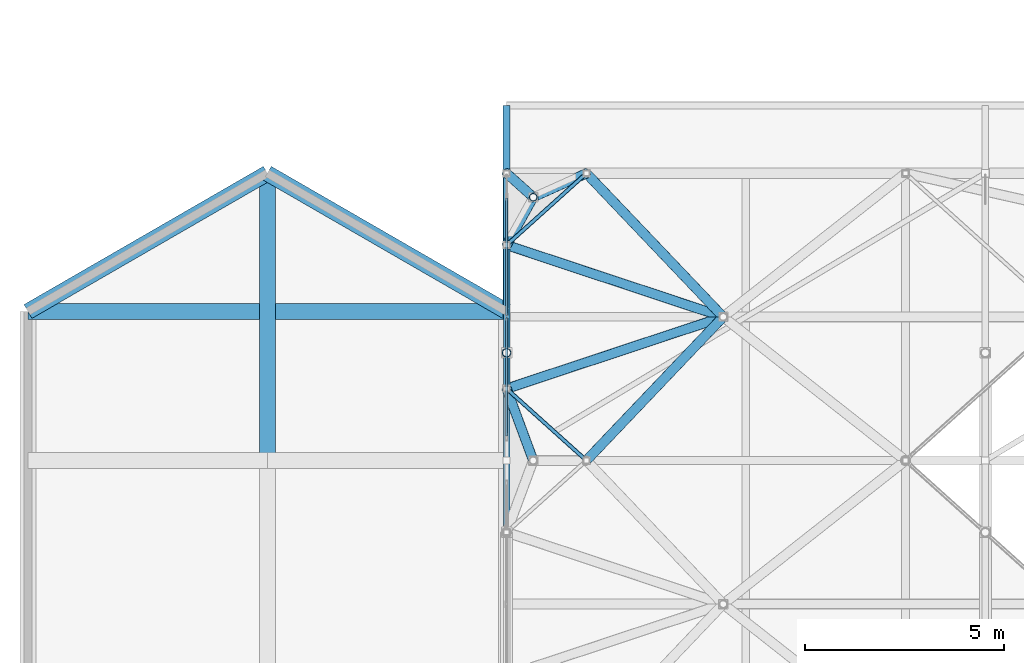
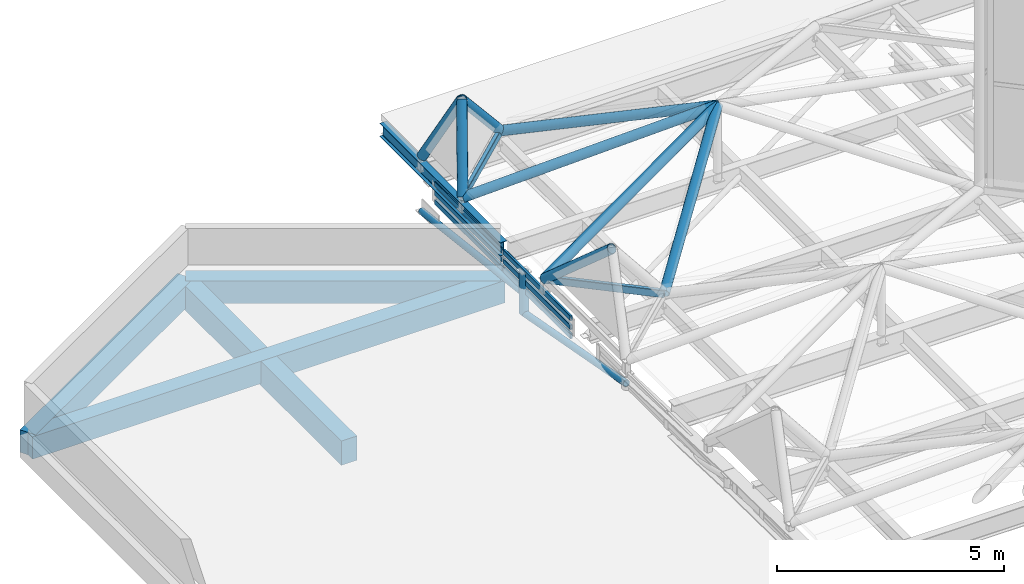
# One storey, part 70 of 239: 18 members, 7 beams, 1 element without a shape of its own.
"""IFC4 building model written with IfcOpenShell, lengths in metres."""

from ifc_helpers import new_model, si_unit, direction, frame, origin, origin_2d, place, context, subcontext, project, spatial, rectangle, hollow_rectangle, hollow_circle, i_section, extrude, material, layer, layer_set, material_profile, profile_set, type_object, element, aggregate, save


model = new_model("IFC4")

# Units and contexts
model_context = context("Model", 3, precision=1e-05, world=origin(), true_north=direction((0.0, 1.0)))
body_context = subcontext(model_context, "Body", "Model", "MODEL_VIEW")
ifc_project = project(units=[si_unit("LENGTHUNIT", "METRE"), si_unit("AREAUNIT", "SQUARE_METRE"), si_unit("VOLUMEUNIT", "CUBIC_METRE"), si_unit("PLANEANGLEUNIT", "RADIAN"), si_unit("MASSUNIT", "GRAM", prefix="KILO")], contexts=[model_context])

# Site, building, storey
site_placement = place(None, origin())
site = spatial("IfcSite", under=ifc_project, at=site_placement, CompositionType="ELEMENT")
building_placement = place(site_placement, origin())
building = spatial("IfcBuilding", under=site, at=building_placement, Name="Dunvalen Ferry Terminal", CompositionType="ELEMENT")
storey_placement = place(building_placement, frame((0.0, 0.0, 9.840087890625)))
storey = spatial("IfcBuildingStorey", under=building, at=storey_placement, Name="L02", CompositionType="ELEMENT", Elevation=9.840087890625)

# Curtain wall, members
ifc_material_1 = material(Name="Anodised marine aluminium and solar-control glazing", Category="aluminium")
ifc_layer = layer(ifc_material_1, 0.219970703125, Name="Anodised marine aluminium and solar-control glazing")
ifc_layer_set = layer_set([ifc_layer], Name="Anodised marine aluminium and solar-control glazing")
curtain_wall_type = type_object("IfcCurtainWallType", Name="ENV-CW-SYS-04", PredefinedType="NOTDEFINED", material=ifc_layer_set)
curtain_wall_placement = place(storey_placement, origin())
curtain_wall = element("IfcCurtainWall", 1, at=curtain_wall_placement, inside=storey, type_object=curtain_wall_type, Name="L02 Curtain Wall CW-V1W-CLR-05", PredefinedType="NOTDEFINED")
ifc_material_2 = material(Name="Anodised marine aluminium EN AW-6063 T6", Category="aluminium")
ifc_material_profile_1 = material_profile(ifc_material_2, hollow_rectangle(XDim=0.06005859375, YDim=0.135009765625, WallThickness=0.003173828125, InnerFilletRadius=0.003173828125, OuterFilletRadius=0.00634765625, at=origin_2d()), Name="Anodised marine aluminium EN AW-6063 T6")
ifc_profile_set_1 = profile_set([ifc_material_profile_1], Name="Anodised marine aluminium EN AW-6063 T6")
member_type_1 = type_object("IfcMemberType", Name="ENV-CW-TRN-2", PredefinedType="USERDEFINED", material=ifc_profile_set_1)
member_1_placement = place(storey_placement, frame((12.0, 79.820068359375, 0.27001953125), z_axis=(0.0, 1.0, 0.0), x_axis=(-1.0, 0.0, 0.0)))
member_1 = element("IfcMember", 2, at=member_1_placement, type_object=member_type_1, Name="CW-04 transom 1.1", ObjectType="TRANSOM", PredefinedType="USERDEFINED", context=body_context, shape_type="SweptSolid", body=[
    extrude(hollow_rectangle(XDim=0.06005859375, YDim=0.135009765625, WallThickness=0.003173828125, InnerFilletRadius=0.003173828125, OuterFilletRadius=0.00634765625, at=origin_2d()), origin(), (0.0, 0.0, 1.0), 2.949951171875),
])
member_2_placement = place(storey_placement, frame((12.0, 79.820068359375, 0.510009765625), z_axis=(0.0, 1.0, 0.0), x_axis=(-1.0, 0.0, 0.0)))
member_2 = element("IfcMember", 3, at=member_2_placement, type_object=member_type_1, Name="CW-04 transom 1.2", ObjectType="TRANSOM", PredefinedType="USERDEFINED", context=body_context, shape_type="SweptSolid", body=[
    extrude(hollow_rectangle(XDim=0.06005859375, YDim=0.135009765625, WallThickness=0.003173828125, InnerFilletRadius=0.003173828125, OuterFilletRadius=0.00634765625, at=origin_2d()), origin(), (0.0, 0.0, 1.0), 2.949951171875),
])
member_3_placement = place(storey_placement, frame((12.0, 79.820068359375, 0.75), z_axis=(0.0, 1.0, 0.0), x_axis=(-1.0, 0.0, 0.0)))
member_3 = element("IfcMember", 4, at=member_3_placement, type_object=member_type_1, Name="CW-04 transom 1.3", ObjectType="TRANSOM", PredefinedType="USERDEFINED", context=body_context, shape_type="SweptSolid", body=[
    extrude(hollow_rectangle(XDim=0.06005859375, YDim=0.135009765625, WallThickness=0.003173828125, InnerFilletRadius=0.003173828125, OuterFilletRadius=0.00634765625, at=origin_2d()), origin(), (0.0, 0.0, 1.0), 2.949951171875),
])
member_4_placement = place(storey_placement, frame((12.0, 82.830078125, 0.27001953125), z_axis=(0.0, 1.0, 0.0), x_axis=(-1.0, 0.0, 0.0)))
member_4 = element("IfcMember", 5, at=member_4_placement, type_object=member_type_1, Name="CW-04 transom 2.1", ObjectType="TRANSOM", PredefinedType="USERDEFINED", context=body_context, shape_type="SweptSolid", body=[
    extrude(hollow_rectangle(XDim=0.06005859375, YDim=0.135009765625, WallThickness=0.003173828125, InnerFilletRadius=0.003173828125, OuterFilletRadius=0.00634765625, at=origin_2d()), origin(), (0.0, 0.0, 1.0), 2.949951171875),
])
member_5_placement = place(storey_placement, frame((12.0, 82.830078125, 0.510009765625), z_axis=(0.0, 1.0, 0.0), x_axis=(-1.0, 0.0, 0.0)))
member_5 = element("IfcMember", 6, at=member_5_placement, type_object=member_type_1, Name="CW-04 transom 2.2", ObjectType="TRANSOM", PredefinedType="USERDEFINED", context=body_context, shape_type="SweptSolid", body=[
    extrude(hollow_rectangle(XDim=0.06005859375, YDim=0.135009765625, WallThickness=0.003173828125, InnerFilletRadius=0.003173828125, OuterFilletRadius=0.00634765625, at=origin_2d()), origin(), (0.0, 0.0, 1.0), 2.949951171875),
])
member_6_placement = place(storey_placement, frame((12.0, 82.830078125, 0.75), z_axis=(0.0, 1.0, 0.0), x_axis=(-1.0, 0.0, 0.0)))
member_6 = element("IfcMember", 7, at=member_6_placement, type_object=member_type_1, Name="CW-04 transom 2.3", ObjectType="TRANSOM", PredefinedType="USERDEFINED", context=body_context, shape_type="SweptSolid", body=[
    extrude(hollow_rectangle(XDim=0.06005859375, YDim=0.135009765625, WallThickness=0.003173828125, InnerFilletRadius=0.003173828125, OuterFilletRadius=0.00634765625, at=origin_2d()), origin(), (0.0, 0.0, 1.0), 2.949951171875),
])
aggregate(curtain_wall, [member_1, member_2, member_3, member_4, member_5, member_6])

# Beams
ifc_material_3 = material(Name="Steel S355", Category="steel")
ifc_material_profile_2 = material_profile(ifc_material_3, i_section(OverallWidth=0.169921875, OverallDepth=0.360107421875, WebThickness=0.008056640625, FlangeThickness=0.0126953125, FilletRadius=0.01806640625, at=origin_2d()), Name="Steel S355")
ifc_profile_set_2 = profile_set([ifc_material_profile_2], Name="Steel S355")
beam_type_1 = type_object("IfcBeamType", Name="STR-BM-IPE360", PredefinedType="BEAM", material=ifc_profile_set_2)
beam_1_placement = place(storey_placement, frame((12.0, 82.800048828125, 0.81982421875), z_axis=(0.0, 1.0, 0.0), x_axis=(-1.0, 0.0, 0.0)))
element("IfcBeam", 8, at=beam_1_placement, inside=storey, type_object=beam_type_1, Name="Departure Hall North Eave Outrigger 01", PredefinedType="BEAM", context=body_context, shape_type="SweptSolid", body=[
    extrude(i_section(OverallWidth=0.169921875, OverallDepth=0.360107421875, WebThickness=0.008056640625, FlangeThickness=0.0126953125, FilletRadius=0.01806640625, at=origin_2d()), origin(), (0.0, 0.0, 1.0), 5.300048828125),
])
ifc_material_4 = material(Name="Concrete C35/45", Category="concrete")
ifc_material_profile_3 = material_profile(ifc_material_4, rectangle(XDim=0.39990234375, YDim=0.60009765625, at=origin_2d()), Name="Concrete C35/45")
ifc_profile_set_3 = profile_set([ifc_material_profile_3], Name="Concrete C35/45")
beam_type_2 = type_object("IfcBeamType", Name="STR-BM-RCB600", PredefinedType="BEAM", material=ifc_profile_set_3)
for number, where, z_axis, x_axis, name in (
    (9, (12.0, 82.93603515625, -0.300048828125), (-0.866040055388, 0.49997462182, 0.0), (-0.49997462182, -0.866040055388, 0.0), "L02 West Baggage Annex Ring Beam 03"),
    (10, (6.0, 86.39990234375, -0.300048828125), (-0.866040055388, -0.49997462182, 0.0), (0.49997462182, -0.866040055388, 0.0), "L02 West Baggage Annex Ring Beam 04"),
):
    element("IfcBeam", number, at=place(storey_placement, frame(where, z_axis=z_axis, x_axis=x_axis)), inside=storey, type_object=beam_type_2, Name=name, PredefinedType="BEAM", context=body_context, shape_type="SweptSolid", body=[
        extrude(rectangle(XDim=0.39990234375, YDim=0.60009765625, at=origin_2d()), origin(), (0.0, 0.0, 1.0), 6.927978515625),
    ])
beam_2_placement = place(storey_placement, frame((0.0, 82.93603515625, -0.300048828125), z_axis=(1.0, 0.0, 0.0), x_axis=(0.0, 1.0, 0.0)))
element("IfcBeam", 11, at=beam_2_placement, inside=storey, type_object=beam_type_2, Name="L02 V1AW Primary Beam X-010", PredefinedType="BEAM", context=body_context, shape_type="SweptSolid", body=[
    extrude(rectangle(XDim=0.39990234375, YDim=0.60009765625, at=origin_2d()), origin(), (0.0, 0.0, 1.0), 12.0),
])
ifc_material_5 = material(Name="Concrete C40/50", Category="concrete")
ifc_material_profile_4 = material_profile(ifc_material_5, rectangle(XDim=0.39990234375, YDim=0.64990234375, at=origin_2d()), Name="Concrete C40/50")
ifc_profile_set_4 = profile_set([ifc_material_profile_4], Name="Concrete C40/50")
beam_type_3 = type_object("IfcBeamType", Name="STR-BM-RCB650", PredefinedType="BEAM", material=ifc_profile_set_4)
beam_3_placement = place(storey_placement, frame((6.0, 79.199951171875, -0.3251953125), z_axis=(0.0, 1.0, 0.0), x_axis=(-1.0, 0.0, 0.0)))
element("IfcBeam", 12, at=beam_3_placement, inside=storey, type_object=beam_type_3, Name="L02 V1AW Primary Girder Y-020", PredefinedType="BEAM", context=body_context, shape_type="SweptSolid", body=[
    extrude(rectangle(XDim=0.39990234375, YDim=0.64990234375, at=origin_2d()), origin(), (0.0, 0.0, 1.0), 7.199951171875),
])
ifc_material_profile_5 = material_profile(ifc_material_3, hollow_rectangle(XDim=0.10009765625, YDim=0.199951171875, WallThickness=0.008056640625, InnerFilletRadius=0.008056640625, OuterFilletRadius=0.01611328125, at=origin_2d()), Name="Steel S355")
ifc_profile_set_5 = profile_set([ifc_material_profile_5], Name="Steel S355")
beam_type_4 = type_object("IfcBeamType", Name="STR-BM-RHS200", PredefinedType="BEAM", material=ifc_profile_set_5)
for number, where, z_axis, x_axis, name in (
    (13, (14.0, 79.199951171875, 1.099853515625), (-0.743285123004, 0.668974757313, 0.0), (-0.668974757313, -0.743285123004, 0.0), "HEX-05 Hexagonal Rim Beam 2"),
    (14, (12.0, 84.60009765625, 1.099853515625), (0.74333024006, 0.66892462521, 0.0), (-0.66892462521, 0.74333024006, 0.0), "HEX-06 Hexagonal Rim Beam 2"),
):
    element("IfcBeam", number, at=place(storey_placement, frame(where, z_axis=z_axis, x_axis=x_axis)), inside=storey, type_object=beam_type_4, Name=name, PredefinedType="BEAM", context=body_context, shape_type="SweptSolid", body=[
        extrude(hollow_rectangle(XDim=0.10009765625, YDim=0.199951171875, WallThickness=0.008056640625, InnerFilletRadius=0.008056640625, OuterFilletRadius=0.01611328125, at=origin_2d()), origin(), (0.0, 0.0, 1.0), 2.690673828125),
    ])

# Members
ifc_material_profile_6 = material_profile(ifc_material_3, hollow_circle(Radius=0.084228515625, WallThickness=0.008056640625, at=origin_2d()), Name="Steel S355")
ifc_profile_set_6 = profile_set([ifc_material_profile_6], Name="Steel S355")
member_type_2 = type_object("IfcMemberType", Name="STR-MB-CHS168", PredefinedType="BRACE", material=ifc_profile_set_6)
member_7_placement = place(storey_placement, frame((12.0, 77.39990234375, 0.474853515625), z_axis=(0.0, 0.983218272848, -0.18243307797), x_axis=(-1.0, 0.0, 0.0)))
element("IfcMember", 15, at=member_7_placement, inside=storey, type_object=member_type_2, Name="Departure Hall Arch Web Diagonal 01.7", PredefinedType="BRACE", context=body_context, shape_type="SweptSolid", body=[
    extrude(hollow_circle(Radius=0.084228515625, WallThickness=0.008056640625, at=origin_2d()), origin(), (0.0, 0.0, 1.0), 4.576904296875),
])
member_8_placement = place(storey_placement, frame((12.0, 81.89990234375, 0.168701171875), z_axis=(0.0, 0.993166043245, -0.116709941931), x_axis=(-1.0, 0.0, 0.0)))
element("IfcMember", 16, at=member_8_placement, inside=storey, type_object=member_type_2, Name="Departure Hall Arch Web Diagonal 01.8", PredefinedType="BRACE", context=body_context, shape_type="SweptSolid", body=[
    extrude(hollow_circle(Radius=0.084228515625, WallThickness=0.008056640625, at=origin_2d()), origin(), (0.0, 0.0, 1.0), 4.531005859375),
])
ifc_material_profile_7 = material_profile(ifc_material_3, hollow_circle(Radius=0.096923828125, WallThickness=0.008056640625, at=origin_2d()), Name="Steel S355")
ifc_profile_set_7 = profile_set([ifc_material_profile_7], Name="Steel S355")
member_type_3 = type_object("IfcMemberType", Name="STR-MB-CHS193", PredefinedType="STRUT", material=ifc_profile_set_7)
member_9_placement = place(storey_placement, frame((12.666748046875, 85.800048828125, 0.77001953125), z_axis=(0.0, 0.0, 1.0), x_axis=(1.0, 0.0, 0.0)))
element("IfcMember", 17, at=member_9_placement, inside=storey, type_object=member_type_3, Name="HEX-06 Pyramid Apex Strut", PredefinedType="STRUT", context=body_context, shape_type="SweptSolid", body=[
    extrude(hollow_circle(Radius=0.096923828125, WallThickness=0.008056640625, at=origin_2d()), origin(), (0.0, 0.0, 1.0), 1.994873046875),
])
ifc_material_profile_8 = material_profile(ifc_material_3, hollow_circle(Radius=0.109619140625, WallThickness=0.010009765625, at=origin_2d()), Name="Steel S355")
ifc_profile_set_8 = profile_set([ifc_material_profile_8], Name="Steel S355")
member_type_4 = type_object("IfcMemberType", Name="STR-MB-CHS219", PredefinedType="STRUT", material=ifc_profile_set_8)
member_10_placement = place(storey_placement, frame((12.0, 81.89990234375, -0.360107421875), z_axis=(0.0, 0.0, 1.0), x_axis=(1.0, 0.0, 0.0)))
element("IfcMember", 18, at=member_10_placement, inside=storey, type_object=member_type_4, Name="Departure Hall Arch Spandrel Strut 01.7", PredefinedType="STRUT", context=body_context, shape_type="SweptSolid", body=[
    extrude(hollow_circle(Radius=0.109619140625, WallThickness=0.010009765625, at=origin_2d()), origin(), (0.0, 0.0, 1.0), 1.130126953125),
])
ifc_material_profile_9 = material_profile(ifc_material_3, hollow_circle(Radius=0.122314453125, WallThickness=0.010009765625, at=origin_2d()), Name="Steel S355")
ifc_profile_set_9 = profile_set([ifc_material_profile_9], Name="Steel S355")
member_type_5 = type_object("IfcMemberType", Name="STR-MB-CHS244", PredefinedType="STRUT", material=ifc_profile_set_9)
member_11_placement = place(storey_placement, frame((12.0, 81.0, 1.099853515625), z_axis=(0.262387740737, -0.708379645717, 0.65524877035), x_axis=(0.937738020856, 0.34734335209, 0.0)))
element("IfcMember", 19, at=member_11_placement, inside=storey, type_object=member_type_5, Name="HEX-05 Pyramid Hip Rafter 3", PredefinedType="STRUT", context=body_context, shape_type="SweptSolid", body=[
    extrude(hollow_circle(Radius=0.122314453125, WallThickness=0.010009765625, at=origin_2d()), origin(), (0.0, 0.0, 1.0), 2.541015625),
])
member_12_placement = place(storey_placement, frame((12.0, 86.39990234375, 1.099853515625), z_axis=(0.352548227225, -0.31717722237, 0.880402383624), x_axis=(0.668829365591, 0.743415953369, 0.0)))
element("IfcMember", 20, at=member_12_placement, inside=storey, type_object=member_type_5, Name="HEX-06 Pyramid Hip Rafter 1", PredefinedType="STRUT", context=body_context, shape_type="SweptSolid", body=[
    extrude(hollow_circle(Radius=0.122314453125, WallThickness=0.010009765625, at=origin_2d()), origin(), (0.0, 0.0, 1.0), 1.89111328125),
])
member_13_placement = place(storey_placement, frame((12.0, 84.60009765625, 1.099853515625), z_axis=(0.308971474595, 0.556058146333, 0.771580174566), x_axis=(-0.874123717778, 0.485703331282, 0.0)))
element("IfcMember", 21, at=member_13_placement, inside=storey, type_object=member_type_5, Name="HEX-06 Pyramid Hip Rafter 2", PredefinedType="STRUT", context=body_context, shape_type="SweptSolid", body=[
    extrude(hollow_circle(Radius=0.122314453125, WallThickness=0.010009765625, at=origin_2d()), origin(), (0.0, 0.0, 1.0), 2.157958984375),
])
member_14_placement = place(storey_placement, frame((14.0, 86.39990234375, 1.099853515625), z_axis=(-0.601704109241, -0.270717267241, 0.751441498814), x_axis=(0.410302184124, -0.911949624542, 0.0)))
element("IfcMember", 22, at=member_14_placement, inside=storey, type_object=member_type_5, Name="HEX-06 Pyramid Hip Rafter 3", PredefinedType="STRUT", context=body_context, shape_type="SweptSolid", body=[
    extrude(hollow_circle(Radius=0.122314453125, WallThickness=0.010009765625, at=origin_2d()), origin(), (0.0, 0.0, 1.0), 2.2158203125),
])
for number, where, z_axis, x_axis, name in (
    (23, (12.0, 84.60009765625, 1.099853515625), (0.911347276527, -0.302184002061, 0.279519177276), (0.314729068317, 0.949181549313, 0.0), "HEX-11 Pyramid Hip Rafter 1"),
    (24, (12.0, 81.0, 1.099853515625), (0.911347276527, 0.302184002061, 0.279519177276), (-0.314729068317, 0.949181549313, 0.0), "HEX-11 Pyramid Hip Rafter 2"),
):
    element("IfcMember", number, at=place(storey_placement, frame(where, z_axis=z_axis, x_axis=x_axis)), inside=storey, type_object=member_type_5, Name=name, PredefinedType="STRUT", context=body_context, shape_type="SweptSolid", body=[
        extrude(hollow_circle(Radius=0.122314453125, WallThickness=0.010009765625, at=origin_2d()), origin(), (0.0, 0.0, 1.0), 5.956787109375),
    ])
for number, where, z_axis, x_axis, name in (
    (25, (14.0, 79.199951171875, 1.099853515625), (0.653958936196, 0.686647570005, 0.317573337002), (-0.724133259713, 0.689660077269, 0.0), "HEX-11 Pyramid Hip Rafter 3"),
    (26, (14.0, 86.39990234375, 1.099853515625), (0.653979846008, -0.686622958516, 0.317583491155), (0.724109901608, 0.689684602114, 0.0), "HEX-11 Pyramid Hip Rafter 7"),
):
    element("IfcMember", number, at=place(storey_placement, frame(where, z_axis=z_axis, x_axis=x_axis)), inside=storey, type_object=member_type_5, Name=name, PredefinedType="STRUT", context=body_context, shape_type="SweptSolid", body=[
        extrude(hollow_circle(Radius=0.122314453125, WallThickness=0.010009765625, at=origin_2d()), origin(), (0.0, 0.0, 1.0), 5.242919921875),
    ])

save(model, "model.ifc")
